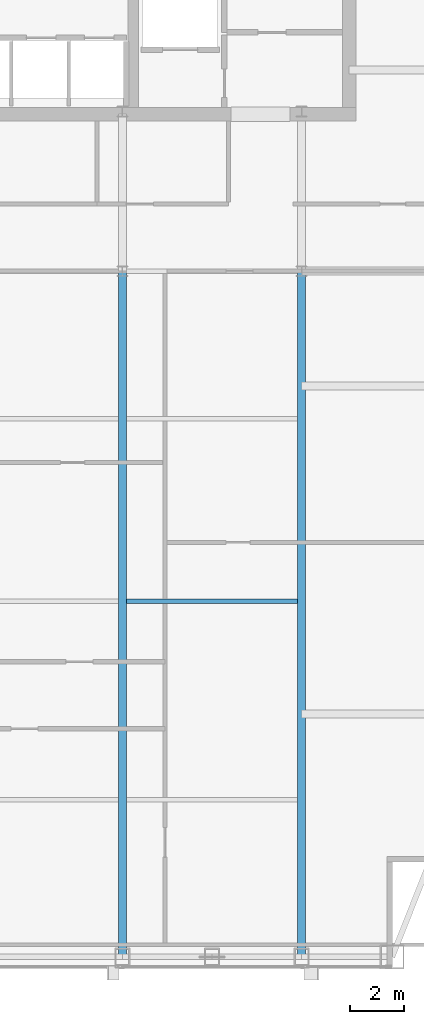
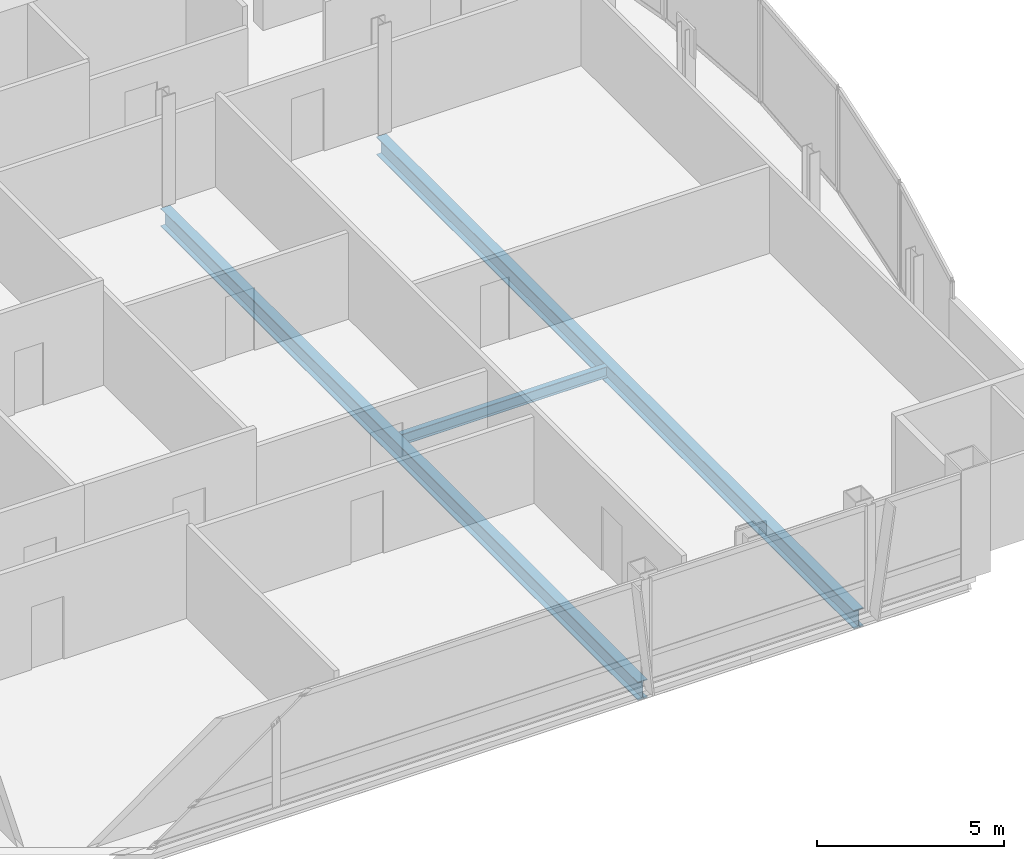
# One storey, part 15 of 29: 3 beams.
"""IFC4 building model written with IfcOpenShell, lengths in metres."""

from ifc_helpers import new_model, si_unit, direction, frame, origin, origin_2d, place, context, subcontext, project, spatial, i_section, extrude, material, material_profile, profile_set, type_object, element, save


model = new_model("IFC4")

# Units and contexts
model_context = context("Model", 3, precision=1e-05, world=origin(), true_north=direction((0.0, 1.0)))
body_context = subcontext(model_context, "Body", "Model", "MODEL_VIEW")
ifc_project = project(units=[si_unit("LENGTHUNIT", "METRE"), si_unit("AREAUNIT", "SQUARE_METRE"), si_unit("VOLUMEUNIT", "CUBIC_METRE"), si_unit("PLANEANGLEUNIT", "RADIAN"), si_unit("MASSUNIT", "GRAM", prefix="KILO")], contexts=[model_context])

# Site, building, storey
site_placement = place(None, origin())
site = spatial("IfcSite", under=ifc_project, at=site_placement, CompositionType="ELEMENT")
building_placement = place(site_placement, origin())
building = spatial("IfcBuilding", under=site, at=building_placement, Name="Khoronbel Lancet Exchange", CompositionType="ELEMENT")
storey_placement = place(building_placement, frame((0.0, 0.0, 321.800048828125)))
storey = spatial("IfcBuildingStorey", under=building, at=storey_placement, Name="L83", CompositionType="ELEMENT", Elevation=321.800048828125)

# Beams
ifc_material = material(Name="Steel S355", Category="steel")
ifc_material_profile_1 = material_profile(ifc_material, i_section(OverallWidth=0.300048828125, OverallDepth=0.60009765625, WebThickness=0.015380859375, FlangeThickness=0.030029296875, at=origin_2d()), Name="HEB 600")
ifc_profile_set_1 = profile_set([ifc_material_profile_1], Name="Steel S355")
beam_type_1 = type_object("IfcBeamType", Name="BM-BG5", PredefinedType="BEAM", material=ifc_profile_set_1)
for number, where, z_axis, x_axis, name in (
    (1, (48.0, 10.14990234375, -0.4599609375), (0.0, 1.0, 0.0), (-1.0, 0.0, 0.0), "Level L83 south primary girder GS5"),
    (2, (54.675048828125, 10.14990234375, -0.4599609375), (0.0, 1.0, 0.0), (-1.0, 0.0, 0.0), "Level L83 south primary girder GS6"),
):
    element("IfcBeam", number, at=place(storey_placement, frame(where, z_axis=z_axis, x_axis=x_axis)), inside=storey, type_object=beam_type_1, Name=name, PredefinedType="BEAM", context=body_context, shape_type="SweptSolid", body=[
        extrude(i_section(OverallWidth=0.300048828125, OverallDepth=0.60009765625, WebThickness=0.015380859375, FlangeThickness=0.030029296875, at=origin_2d()), origin(), (0.0, 0.0, 1.0), 25.550048828125),
    ])
ifc_material_profile_2 = material_profile(ifc_material, i_section(OverallWidth=0.169921875, OverallDepth=0.360107421875, WebThickness=0.008056640625, FlangeThickness=0.0126953125, at=origin_2d()), Name="IPE 360")
ifc_profile_set_2 = profile_set([ifc_material_profile_2], Name="Steel S355")
beam_type_2 = type_object("IfcBeamType", Name="BM-BJ6", PredefinedType="JOIST", material=ifc_profile_set_2)
beam_placement = place(storey_placement, frame((48.14990234375, 23.39990234375, -0.340087890625), z_axis=(1.0, 0.0, 0.0), x_axis=(0.0, 1.0, 0.0)))
element("IfcBeam", 3, at=beam_placement, inside=storey, type_object=beam_type_2, Name="Level L83 secondary composite joist J06", PredefinedType="JOIST", context=body_context, shape_type="SweptSolid", body=[
    extrude(i_section(OverallWidth=0.169921875, OverallDepth=0.360107421875, WebThickness=0.008056640625, FlangeThickness=0.0126953125, at=origin_2d()), origin(), (0.0, 0.0, 1.0), 6.375),
])

save(model, "model.ifc")
